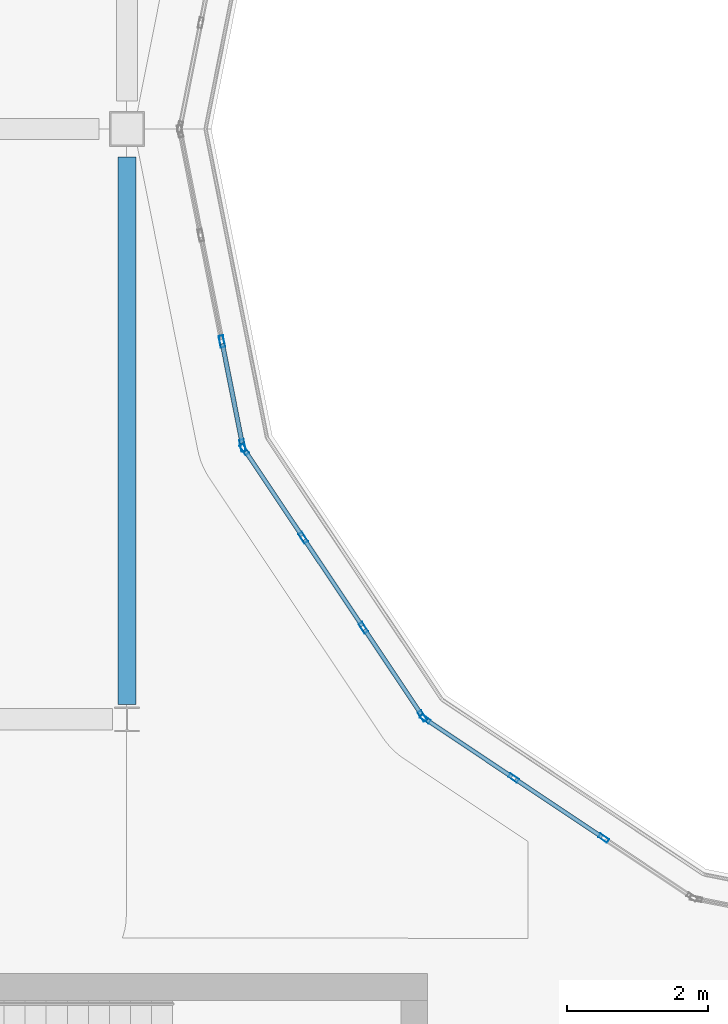
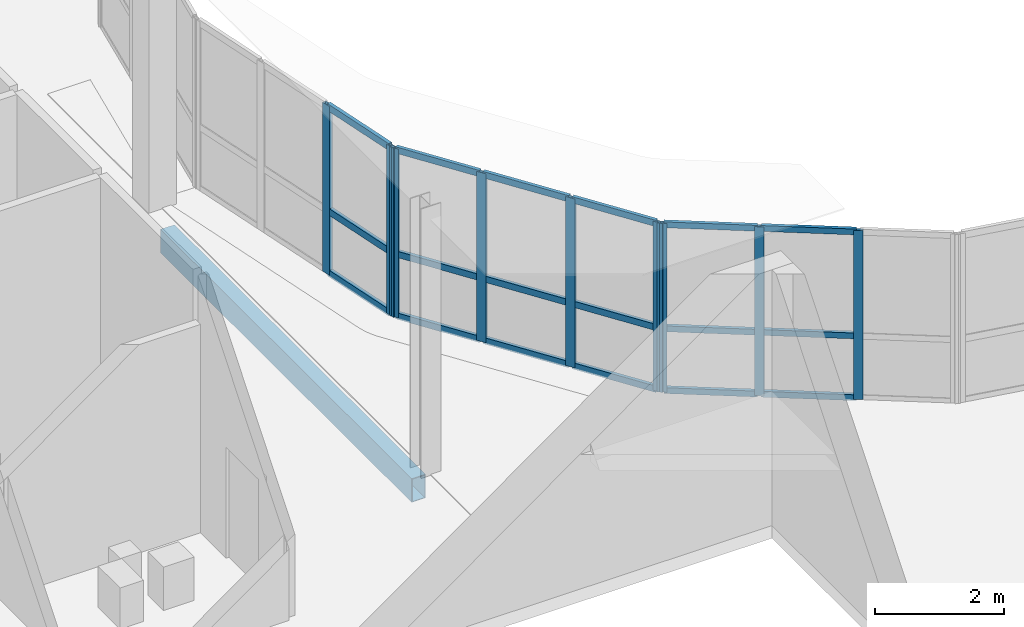
# One storey, part 17 of 104: 27 members, 1 beam, 3 elements without a shape of their own.
"""IFC4 building model written with IfcOpenShell, lengths in metres."""

from ifc_helpers import new_model, si_unit, direction, frame, origin, origin_2d, place, context, subcontext, project, spatial, hollow_rectangle, extrude, material, layer, layer_set, material_profile, profile_set, type_object, element, aggregate, save


model = new_model("IFC4")

# Units and contexts
model_context = context("Model", 3, precision=1e-05, world=origin(), true_north=direction((0.0, 1.0)))
body_context = subcontext(model_context, "Body", "Model", "MODEL_VIEW")
ifc_project = project(units=[si_unit("LENGTHUNIT", "METRE"), si_unit("AREAUNIT", "SQUARE_METRE"), si_unit("VOLUMEUNIT", "CUBIC_METRE"), si_unit("PLANEANGLEUNIT", "RADIAN"), si_unit("MASSUNIT", "GRAM", prefix="KILO"), si_unit("THERMODYNAMICTEMPERATUREUNIT", "KELVIN")], contexts=[model_context])

# Site, building, storey
site_placement = place(None, origin())
site = spatial("IfcSite", under=ifc_project, at=site_placement, CompositionType="ELEMENT")
building_placement = place(site_placement, origin())
building = spatial("IfcBuilding", under=site, at=building_placement, Name="Lustrewick Department Store", CompositionType="ELEMENT")
storey_placement = place(building_placement, frame((0.0, 0.0, 11.39990234375)))
storey = spatial("IfcBuildingStorey", under=building, at=storey_placement, Name="L03", CompositionType="ELEMENT", Elevation=11.39990234375)

# Curtain wall, members
ifc_material_1 = material(Name="Thermally broken aluminium 6063-T5", Category="aluminium")
ifc_layer_1 = layer(ifc_material_1, 0.169921875, Name="Thermally broken aluminium 6063-T5")
ifc_layer_set_1 = layer_set([ifc_layer_1], Name="Thermally broken aluminium 6063-T5")
curtain_wall_type_1 = type_object("IfcCurtainWallType", Name="CW16", PredefinedType="NOTDEFINED", material=ifc_layer_set_1)
curtain_wall_1_placement = place(storey_placement, origin())
curtain_wall_1 = element("IfcCurtainWall", 1, at=curtain_wall_1_placement, inside=storey, type_object=curtain_wall_type_1, Name="L03 Atrium Glazed Screen CW16", PredefinedType="NOTDEFINED")
ifc_material_profile_1 = material_profile(ifc_material_1, hollow_rectangle(XDim=0.06494140625, YDim=0.169921875, WallThickness=0.00390625, at=origin_2d()), Name="ALU-M 65x170x4")
ifc_profile_set_1 = profile_set([ifc_material_profile_1], Name="Thermally broken aluminium 6063-T5")
member_type_1 = type_object("IfcMemberType", Name="CW16-M1", PredefinedType="MULLION", material=ifc_profile_set_1)
member_1_placement = place(storey_placement, frame((18.1513671875, 64.1767578125, 0.0), z_axis=(0.0, 0.0, 1.0), x_axis=(0.980786430993, 0.195084537521, 0.0)))
member_1 = element("IfcMember", 2, at=member_1_placement, type_object=member_type_1, Name="CW16 mullion 3", PredefinedType="MULLION", context=body_context, shape_type="SweptSolid", body=[
    extrude(hollow_rectangle(XDim=0.06494140625, YDim=0.169921875, WallThickness=0.00390625, at=origin_2d()), origin(), (0.0, 0.0, 1.0), 3.2001953125),
])
member_2_placement = place(storey_placement, frame((18.445556640625, 62.697021484375, 0.0), z_axis=(0.0, 0.0, 1.0), x_axis=(0.980786430993, 0.195084537521, 0.0)))
member_2 = element("IfcMember", 3, at=member_2_placement, type_object=member_type_1, Name="CW16 mullion 4", PredefinedType="MULLION", context=body_context, shape_type="SweptSolid", body=[
    extrude(hollow_rectangle(XDim=0.06494140625, YDim=0.169921875, WallThickness=0.00390625, at=origin_2d()), origin(), (0.0, 0.0, 1.0), 3.2001953125),
])
ifc_material_profile_2 = material_profile(ifc_material_1, hollow_rectangle(XDim=0.06494140625, YDim=0.1298828125, WallThickness=0.00341796875, at=origin_2d()), Name="ALU-T 65x130x3.5")
ifc_profile_set_2 = profile_set([ifc_material_profile_2], Name="Thermally broken aluminium 6063-T5")
member_type_2 = type_object("IfcMemberType", Name="CW16-T1", PredefinedType="USERDEFINED", material=ifc_profile_set_2)
member_3_placement = place(storey_placement, frame((18.15771484375, 64.14501953125, 0.03271484375), z_axis=(0.19497779785, -0.980807656141, 0.0), x_axis=(0.980807656141, 0.19497779785, 0.0)))
member_3 = element("IfcMember", 4, at=member_3_placement, type_object=member_type_2, Name="CW16 transom 3.1", ObjectType="TRANSOM", PredefinedType="USERDEFINED", context=body_context, shape_type="SweptSolid", body=[
    extrude(hollow_rectangle(XDim=0.06494140625, YDim=0.1298828125, WallThickness=0.00341796875, at=origin_2d()), origin(), (0.0, 0.0, 1.0), 1.443603515625),
])
member_4_placement = place(storey_placement, frame((18.15771484375, 64.14501953125, 1.2001953125), z_axis=(0.19497779785, -0.980807656141, 0.0), x_axis=(0.980807656141, 0.19497779785, 0.0)))
member_4 = element("IfcMember", 5, at=member_4_placement, type_object=member_type_2, Name="CW16 transom 3.2", ObjectType="TRANSOM", PredefinedType="USERDEFINED", context=body_context, shape_type="SweptSolid", body=[
    extrude(hollow_rectangle(XDim=0.06494140625, YDim=0.1298828125, WallThickness=0.00341796875, at=origin_2d()), origin(), (0.0, 0.0, 1.0), 1.443603515625),
])
member_5_placement = place(storey_placement, frame((18.15771484375, 64.14501953125, 3.16748046875), z_axis=(0.19497779785, -0.980807656141, 0.0), x_axis=(0.980807656141, 0.19497779785, 0.0)))
member_5 = element("IfcMember", 6, at=member_5_placement, type_object=member_type_2, Name="CW16 transom 3.3", ObjectType="TRANSOM", PredefinedType="USERDEFINED", context=body_context, shape_type="SweptSolid", body=[
    extrude(hollow_rectangle(XDim=0.06494140625, YDim=0.1298828125, WallThickness=0.00341796875, at=origin_2d()), origin(), (0.0, 0.0, 1.0), 1.443603515625),
])
aggregate(curtain_wall_1, [member_1, member_2, member_3, member_4, member_5])

ifc_layer_2 = layer(ifc_material_1, 0.159912109375, Name="Thermally broken aluminium 6063-T5")
ifc_layer_set_2 = layer_set([ifc_layer_2], Name="Thermally broken aluminium 6063-T5")
curtain_wall_type_2 = type_object("IfcCurtainWallType", Name="CW17", PredefinedType="NOTDEFINED", material=ifc_layer_set_2)
curtain_wall_2_placement = place(storey_placement, origin())
curtain_wall_2 = element("IfcCurtainWall", 7, at=curtain_wall_2_placement, inside=storey, type_object=curtain_wall_type_2, Name="L03 Atrium Glazed Screen CW17", PredefinedType="NOTDEFINED")
ifc_material_profile_3 = material_profile(ifc_material_1, hollow_rectangle(XDim=0.06005859375, YDim=0.159912109375, WallThickness=0.00390625, at=origin_2d()), Name="ALU-M 60x160x4")
ifc_profile_set_3 = profile_set([ifc_material_profile_3], Name="Thermally broken aluminium 6063-T5")
member_type_3 = type_object("IfcMemberType", Name="CW17-M1", PredefinedType="MULLION", material=ifc_profile_set_3)
member_6_placement = place(storey_placement, frame((18.46875, 62.64013671875, 0.0), z_axis=(0.0, 0.0, 1.0), x_axis=(0.831464212799, 0.555578313862, 0.0)))
member_6 = element("IfcMember", 8, at=member_6_placement, type_object=member_type_3, Name="CW17 mullion 1", PredefinedType="MULLION", context=body_context, shape_type="SweptSolid", body=[
    extrude(hollow_rectangle(XDim=0.06005859375, YDim=0.159912109375, WallThickness=0.00390625, at=origin_2d()), origin(), (0.0, 0.0, 1.0), 3.2001953125),
])
member_7_placement = place(storey_placement, frame((19.308349609375, 61.3837890625, 0.0), z_axis=(0.0, 0.0, 1.0), x_axis=(0.831464212799, 0.555578313862, 0.0)))
member_7 = element("IfcMember", 9, at=member_7_placement, type_object=member_type_3, Name="CW17 mullion 2", PredefinedType="MULLION", context=body_context, shape_type="SweptSolid", body=[
    extrude(hollow_rectangle(XDim=0.06005859375, YDim=0.159912109375, WallThickness=0.00390625, at=origin_2d()), origin(), (0.0, 0.0, 1.0), 3.2001953125),
])
member_8_placement = place(storey_placement, frame((20.16455078125, 60.102294921875, 0.0), z_axis=(0.0, 0.0, 1.0), x_axis=(0.831464212799, 0.555578313862, 0.0)))
member_8 = element("IfcMember", 10, at=member_8_placement, type_object=member_type_3, Name="CW17 mullion 3", PredefinedType="MULLION", context=body_context, shape_type="SweptSolid", body=[
    extrude(hollow_rectangle(XDim=0.06005859375, YDim=0.159912109375, WallThickness=0.00390625, at=origin_2d()), origin(), (0.0, 0.0, 1.0), 3.2001953125),
])
member_9_placement = place(storey_placement, frame((21.004150390625, 58.845703125, 0.0), z_axis=(0.0, 0.0, 1.0), x_axis=(0.831464212799, 0.555578313862, 0.0)))
member_9 = element("IfcMember", 11, at=member_9_placement, type_object=member_type_3, Name="CW17 mullion 4", PredefinedType="MULLION", context=body_context, shape_type="SweptSolid", body=[
    extrude(hollow_rectangle(XDim=0.06005859375, YDim=0.159912109375, WallThickness=0.00390625, at=origin_2d()), origin(), (0.0, 0.0, 1.0), 3.2001953125),
])
ifc_material_profile_4 = material_profile(ifc_material_1, hollow_rectangle(XDim=0.06005859375, YDim=0.1201171875, WallThickness=0.00341796875, at=origin_2d()), Name="ALU-T 60x120x3.5")
ifc_profile_set_4 = profile_set([ifc_material_profile_4], Name="Thermally broken aluminium 6063-T5")
member_type_4 = type_object("IfcMemberType", Name="CW17-T1", PredefinedType="USERDEFINED", material=ifc_profile_set_4)
member_10_placement = place(storey_placement, frame((18.4853515625, 62.615234375, 0.030029296875), z_axis=(0.555554084832, -0.83148040195, 0.0), x_axis=(0.83148040195, 0.555554084832, 0.0)))
member_10 = element("IfcMember", 12, at=member_10_placement, type_object=member_type_4, Name="CW17 transom 1.1", ObjectType="TRANSOM", PredefinedType="USERDEFINED", context=body_context, shape_type="SweptSolid", body=[
    extrude(hollow_rectangle(XDim=0.06005859375, YDim=0.1201171875, WallThickness=0.00341796875, at=origin_2d()), origin(), (0.0, 0.0, 1.0), 1.451171875),
])
member_11_placement = place(storey_placement, frame((18.4853515625, 62.615234375, 1.2001953125), z_axis=(0.555554084832, -0.83148040195, 0.0), x_axis=(0.83148040195, 0.555554084832, 0.0)))
member_11 = element("IfcMember", 13, at=member_11_placement, type_object=member_type_4, Name="CW17 transom 1.2", ObjectType="TRANSOM", PredefinedType="USERDEFINED", context=body_context, shape_type="SweptSolid", body=[
    extrude(hollow_rectangle(XDim=0.06005859375, YDim=0.1201171875, WallThickness=0.00341796875, at=origin_2d()), origin(), (0.0, 0.0, 1.0), 1.451171875),
])
member_12_placement = place(storey_placement, frame((18.4853515625, 62.615234375, 3.170166015625), z_axis=(0.555554084832, -0.83148040195, 0.0), x_axis=(0.83148040195, 0.555554084832, 0.0)))
member_12 = element("IfcMember", 14, at=member_12_placement, type_object=member_type_4, Name="CW17 transom 1.3", ObjectType="TRANSOM", PredefinedType="USERDEFINED", context=body_context, shape_type="SweptSolid", body=[
    extrude(hollow_rectangle(XDim=0.06005859375, YDim=0.1201171875, WallThickness=0.00341796875, at=origin_2d()), origin(), (0.0, 0.0, 1.0), 1.451171875),
])
member_13_placement = place(storey_placement, frame((19.324951171875, 61.35888671875, 0.030029296875), z_axis=(0.555574650661, -0.831466660512, 0.0), x_axis=(0.831466660512, 0.555574650661, 0.0)))
member_13 = element("IfcMember", 15, at=member_13_placement, type_object=member_type_4, Name="CW17 transom 2.1", ObjectType="TRANSOM", PredefinedType="USERDEFINED", context=body_context, shape_type="SweptSolid", body=[
    extrude(hollow_rectangle(XDim=0.06005859375, YDim=0.1201171875, WallThickness=0.00341796875, at=origin_2d()), origin(), (0.0, 0.0, 1.0), 1.4814453125),
])
member_14_placement = place(storey_placement, frame((19.324951171875, 61.35888671875, 1.2001953125), z_axis=(0.555574650661, -0.831466660512, 0.0), x_axis=(0.831466660512, 0.555574650661, 0.0)))
member_14 = element("IfcMember", 16, at=member_14_placement, type_object=member_type_4, Name="CW17 transom 2.2", ObjectType="TRANSOM", PredefinedType="USERDEFINED", context=body_context, shape_type="SweptSolid", body=[
    extrude(hollow_rectangle(XDim=0.06005859375, YDim=0.1201171875, WallThickness=0.00341796875, at=origin_2d()), origin(), (0.0, 0.0, 1.0), 1.4814453125),
])
member_15_placement = place(storey_placement, frame((19.324951171875, 61.35888671875, 3.170166015625), z_axis=(0.555574650661, -0.831466660512, 0.0), x_axis=(0.831466660512, 0.555574650661, 0.0)))
member_15 = element("IfcMember", 17, at=member_15_placement, type_object=member_type_4, Name="CW17 transom 2.3", ObjectType="TRANSOM", PredefinedType="USERDEFINED", context=body_context, shape_type="SweptSolid", body=[
    extrude(hollow_rectangle(XDim=0.06005859375, YDim=0.1201171875, WallThickness=0.00341796875, at=origin_2d()), origin(), (0.0, 0.0, 1.0), 1.4814453125),
])
member_16_placement = place(storey_placement, frame((20.18115234375, 60.077392578125, 0.030029296875), z_axis=(0.55559267586, -0.831454616038, 0.0), x_axis=(0.831454616038, 0.55559267586, 0.0)))
member_16 = element("IfcMember", 18, at=member_16_placement, type_object=member_type_4, Name="CW17 transom 3.1", ObjectType="TRANSOM", PredefinedType="USERDEFINED", context=body_context, shape_type="SweptSolid", body=[
    extrude(hollow_rectangle(XDim=0.06005859375, YDim=0.1201171875, WallThickness=0.00341796875, at=origin_2d()), origin(), (0.0, 0.0, 1.0), 1.451416015625),
])
member_17_placement = place(storey_placement, frame((20.18115234375, 60.077392578125, 1.2001953125), z_axis=(0.55559267586, -0.831454616038, 0.0), x_axis=(0.831454616038, 0.55559267586, 0.0)))
member_17 = element("IfcMember", 19, at=member_17_placement, type_object=member_type_4, Name="CW17 transom 3.2", ObjectType="TRANSOM", PredefinedType="USERDEFINED", context=body_context, shape_type="SweptSolid", body=[
    extrude(hollow_rectangle(XDim=0.06005859375, YDim=0.1201171875, WallThickness=0.00341796875, at=origin_2d()), origin(), (0.0, 0.0, 1.0), 1.451416015625),
])
member_18_placement = place(storey_placement, frame((20.18115234375, 60.077392578125, 3.170166015625), z_axis=(0.55559267586, -0.831454616038, 0.0), x_axis=(0.831454616038, 0.55559267586, 0.0)))
member_18 = element("IfcMember", 20, at=member_18_placement, type_object=member_type_4, Name="CW17 transom 3.3", ObjectType="TRANSOM", PredefinedType="USERDEFINED", context=body_context, shape_type="SweptSolid", body=[
    extrude(hollow_rectangle(XDim=0.06005859375, YDim=0.1201171875, WallThickness=0.00341796875, at=origin_2d()), origin(), (0.0, 0.0, 1.0), 1.451416015625),
])
aggregate(curtain_wall_2, [member_6, member_7, member_8, member_9, member_10, member_11, member_12, member_13, member_14, member_15, member_16, member_17, member_18])

ifc_layer_3 = layer(ifc_material_1, 0.14990234375, Name="Thermally broken aluminium 6063-T5")
ifc_layer_set_3 = layer_set([ifc_layer_3], Name="Thermally broken aluminium 6063-T5")
curtain_wall_type_3 = type_object("IfcCurtainWallType", Name="CW18", PredefinedType="NOTDEFINED", material=ifc_layer_set_3)
curtain_wall_3_placement = place(storey_placement, origin())
curtain_wall_3 = element("IfcCurtainWall", 21, at=curtain_wall_3_placement, inside=storey, type_object=curtain_wall_type_3, Name="L03 Atrium Glazed Screen CW18", PredefinedType="NOTDEFINED")
ifc_material_profile_5 = material_profile(ifc_material_1, hollow_rectangle(XDim=0.06005859375, YDim=0.14990234375, WallThickness=0.00341796875, at=origin_2d()), Name="ALU-M 60x150x3.5")
ifc_profile_set_5 = profile_set([ifc_material_profile_5], Name="Thermally broken aluminium 6063-T5")
member_type_5 = type_object("IfcMemberType", Name="CW18-M1", PredefinedType="MULLION", material=ifc_profile_set_5)
member_19_placement = place(storey_placement, frame((21.045654296875, 58.80419921875, 0.0), z_axis=(0.0, 0.0, 1.0), x_axis=(0.555578313862, 0.831464212799, 0.0)))
member_19 = element("IfcMember", 22, at=member_19_placement, type_object=member_type_5, Name="CW18 mullion 1", PredefinedType="MULLION", context=body_context, shape_type="SweptSolid", body=[
    extrude(hollow_rectangle(XDim=0.06005859375, YDim=0.14990234375, WallThickness=0.00341796875, at=origin_2d()), origin(), (0.0, 0.0, 1.0), 3.2001953125),
])
member_20_placement = place(storey_placement, frame((22.30224609375, 57.964599609375, 0.0), z_axis=(0.0, 0.0, 1.0), x_axis=(0.555578313862, 0.831464212799, 0.0)))
member_20 = element("IfcMember", 23, at=member_20_placement, type_object=member_type_5, Name="CW18 mullion 2", PredefinedType="MULLION", context=body_context, shape_type="SweptSolid", body=[
    extrude(hollow_rectangle(XDim=0.06005859375, YDim=0.14990234375, WallThickness=0.00341796875, at=origin_2d()), origin(), (0.0, 0.0, 1.0), 3.2001953125),
])
member_21_placement = place(storey_placement, frame((23.583740234375, 57.108154296875, 0.0), z_axis=(0.0, 0.0, 1.0), x_axis=(0.555578313862, 0.831464212799, 0.0)))
member_21 = element("IfcMember", 24, at=member_21_placement, type_object=member_type_5, Name="CW18 mullion 3", PredefinedType="MULLION", context=body_context, shape_type="SweptSolid", body=[
    extrude(hollow_rectangle(XDim=0.06005859375, YDim=0.14990234375, WallThickness=0.00341796875, at=origin_2d()), origin(), (0.0, 0.0, 1.0), 3.2001953125),
])
ifc_material_profile_6 = material_profile(ifc_material_1, hollow_rectangle(XDim=0.06005859375, YDim=0.110107421875, WallThickness=0.0029296875, at=origin_2d()), Name="ALU-T 60x110x3")
ifc_profile_set_6 = profile_set([ifc_material_profile_6], Name="Thermally broken aluminium 6063-T5")
member_type_6 = type_object("IfcMemberType", Name="CW18-T1", PredefinedType="USERDEFINED", material=ifc_profile_set_6)
member_22_placement = place(storey_placement, frame((21.07080078125, 58.787353515625, 0.030029296875), z_axis=(0.83148040195, -0.555554084832, 0.0), x_axis=(0.555554084832, 0.83148040195, 0.0)))
member_22 = element("IfcMember", 25, at=member_22_placement, type_object=member_type_6, Name="CW18 transom 1.1", ObjectType="TRANSOM", PredefinedType="USERDEFINED", context=body_context, shape_type="SweptSolid", body=[
    extrude(hollow_rectangle(XDim=0.06005859375, YDim=0.110107421875, WallThickness=0.0029296875, at=origin_2d()), origin(), (0.0, 0.0, 1.0), 1.451171875),
])
member_23_placement = place(storey_placement, frame((21.07080078125, 58.787353515625, 1.2001953125), z_axis=(0.83148040195, -0.555554084832, 0.0), x_axis=(0.555554084832, 0.83148040195, 0.0)))
member_23 = element("IfcMember", 26, at=member_23_placement, type_object=member_type_6, Name="CW18 transom 1.2", ObjectType="TRANSOM", PredefinedType="USERDEFINED", context=body_context, shape_type="SweptSolid", body=[
    extrude(hollow_rectangle(XDim=0.06005859375, YDim=0.110107421875, WallThickness=0.0029296875, at=origin_2d()), origin(), (0.0, 0.0, 1.0), 1.451171875),
])
member_24_placement = place(storey_placement, frame((21.07080078125, 58.787353515625, 3.170166015625), z_axis=(0.83148040195, -0.555554084832, 0.0), x_axis=(0.555554084832, 0.83148040195, 0.0)))
member_24 = element("IfcMember", 27, at=member_24_placement, type_object=member_type_6, Name="CW18 transom 1.3", ObjectType="TRANSOM", PredefinedType="USERDEFINED", context=body_context, shape_type="SweptSolid", body=[
    extrude(hollow_rectangle(XDim=0.06005859375, YDim=0.110107421875, WallThickness=0.0029296875, at=origin_2d()), origin(), (0.0, 0.0, 1.0), 1.451171875),
])
member_25_placement = place(storey_placement, frame((22.3271484375, 57.94775390625, 0.030029296875), z_axis=(0.831542792322, -0.555460695763, 0.0), x_axis=(0.555460695763, 0.831542792322, 0.0)))
member_25 = element("IfcMember", 28, at=member_25_placement, type_object=member_type_6, Name="CW18 transom 2.1", ObjectType="TRANSOM", PredefinedType="USERDEFINED", context=body_context, shape_type="SweptSolid", body=[
    extrude(hollow_rectangle(XDim=0.06005859375, YDim=0.110107421875, WallThickness=0.0029296875, at=origin_2d()), origin(), (0.0, 0.0, 1.0), 1.481201171875),
])
member_26_placement = place(storey_placement, frame((22.3271484375, 57.94775390625, 1.2001953125), z_axis=(0.831542792322, -0.555460695763, 0.0), x_axis=(0.555460695763, 0.831542792322, 0.0)))
member_26 = element("IfcMember", 29, at=member_26_placement, type_object=member_type_6, Name="CW18 transom 2.2", ObjectType="TRANSOM", PredefinedType="USERDEFINED", context=body_context, shape_type="SweptSolid", body=[
    extrude(hollow_rectangle(XDim=0.06005859375, YDim=0.110107421875, WallThickness=0.0029296875, at=origin_2d()), origin(), (0.0, 0.0, 1.0), 1.481201171875),
])
member_27_placement = place(storey_placement, frame((22.3271484375, 57.94775390625, 3.170166015625), z_axis=(0.831542792322, -0.555460695763, 0.0), x_axis=(0.555460695763, 0.831542792322, 0.0)))
member_27 = element("IfcMember", 30, at=member_27_placement, type_object=member_type_6, Name="CW18 transom 2.3", ObjectType="TRANSOM", PredefinedType="USERDEFINED", context=body_context, shape_type="SweptSolid", body=[
    extrude(hollow_rectangle(XDim=0.06005859375, YDim=0.110107421875, WallThickness=0.0029296875, at=origin_2d()), origin(), (0.0, 0.0, 1.0), 1.481201171875),
])
aggregate(curtain_wall_3, [member_19, member_20, member_21, member_22, member_23, member_24, member_25, member_26, member_27])

# Beam
ifc_material_2 = material(Name="Structural steel Q355C", Category="steel")
ifc_material_profile_7 = material_profile(ifc_material_2, hollow_rectangle(XDim=0.25, YDim=0.449951171875, WallThickness=0.013916015625, at=origin_2d()), Name="RHS 450x250x14")
ifc_profile_set_7 = profile_set([ifc_material_profile_7], Name="Structural steel Q355C")
beam_type = type_object("IfcBeamType", Name="G18", PredefinedType="BEAM", material=ifc_profile_set_7)
beam_placement = place(storey_placement, frame((16.800048828125, 59.007080078125, -0.47998046875), z_axis=(0.0, 1.0, 0.0), x_axis=(-1.0, 0.0, 0.0)))
element("IfcBeam", 31, at=beam_placement, inside=storey, type_object=beam_type, Name="L03 V1 Girder G18", PredefinedType="BEAM", context=body_context, shape_type="SweptSolid", body=[
    extrude(hollow_rectangle(XDim=0.25, YDim=0.449951171875, WallThickness=0.013916015625, at=origin_2d()), origin(), (0.0, 0.0, 1.0), 7.79296875),
])

save(model, "model.ifc")
